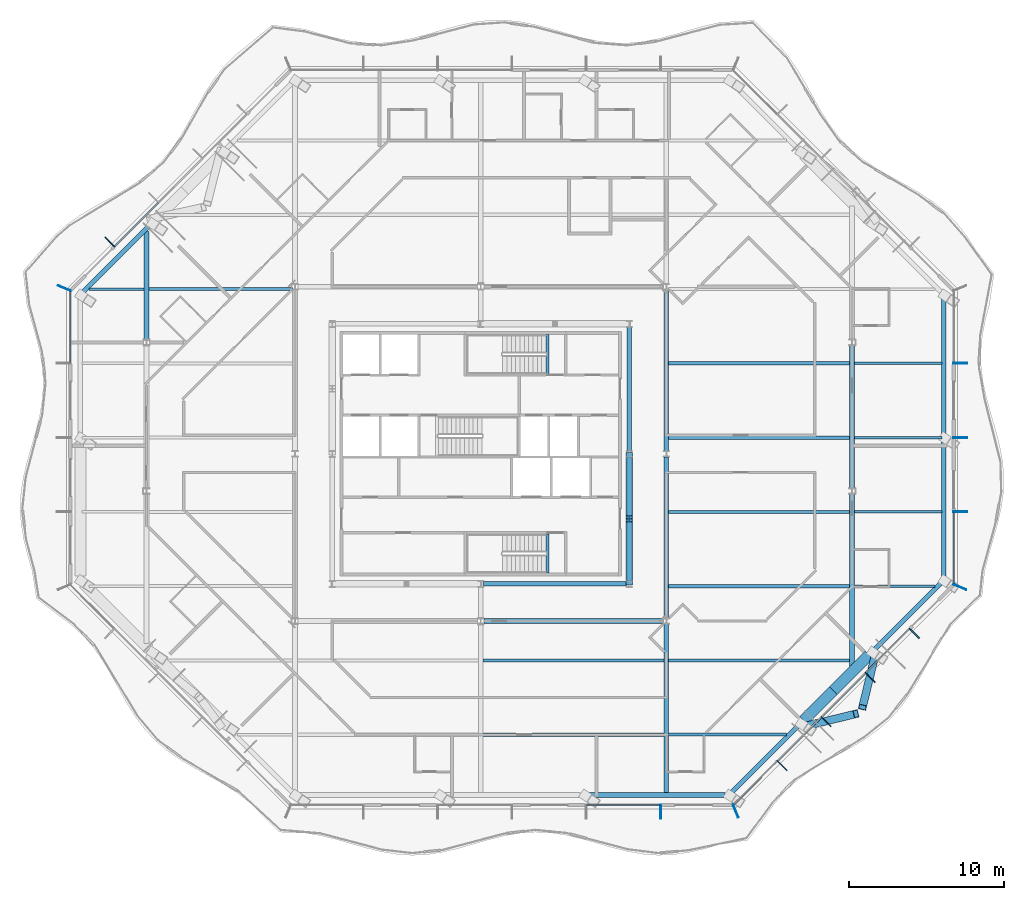
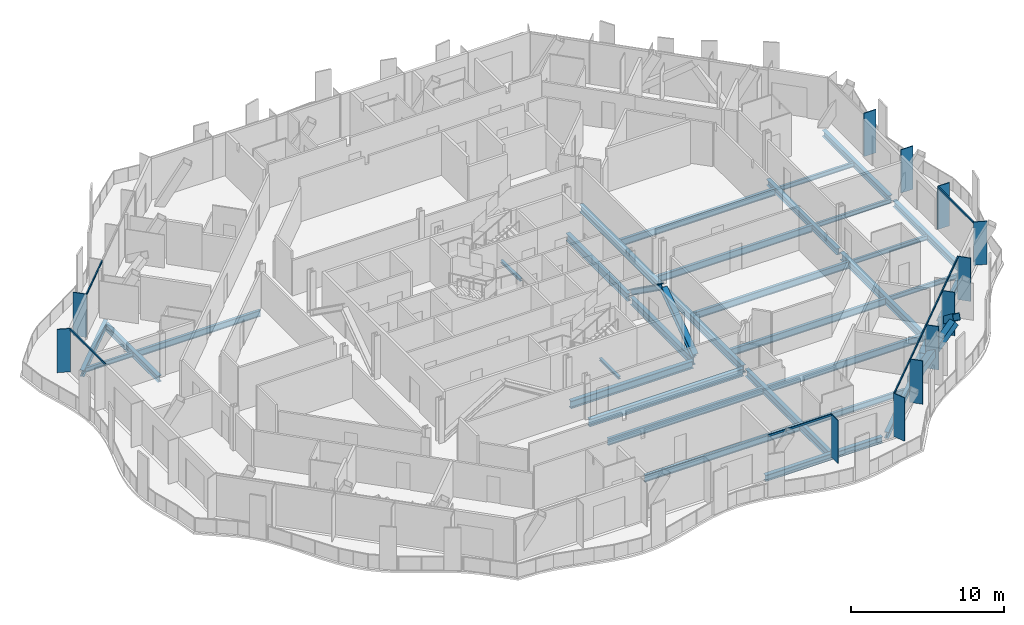
# One storey, part 4 of 21: 34 beams, 24 members, 5 elements without a shape of their own.
"""IFC4 building model written with IfcOpenShell, lengths in metres."""

from ifc_helpers import new_model, si_unit, direction, frame, origin, origin_2d, place, context, subcontext, project, spatial, rectangle, hollow_rectangle, i_section, extrude, material, material_profile, profile_set, type_object, element, aggregate, save


model = new_model("IFC4")

# Units and contexts
model_context = context("Model", 3, precision=1e-05, world=origin(), true_north=direction((0.0, 1.0)))
body_context = subcontext(model_context, "Body", "Model", "MODEL_VIEW")
ifc_project = project(units=[si_unit("LENGTHUNIT", "METRE"), si_unit("AREAUNIT", "SQUARE_METRE"), si_unit("VOLUMEUNIT", "CUBIC_METRE"), si_unit("PLANEANGLEUNIT", "RADIAN"), si_unit("MASSUNIT", "GRAM", prefix="KILO")], contexts=[model_context])

# Site, building, storey
site_placement = place(None, origin())
site = spatial("IfcSite", under=ifc_project, at=site_placement, CompositionType="ELEMENT")
building_placement = place(site_placement, origin())
building = spatial("IfcBuilding", under=site, at=building_placement, Name="Cairn Pilgrim Tower", CompositionType="ELEMENT")
storey_placement = place(building_placement, frame((0.0, 0.0, 183.0)))
storey = spatial("IfcBuildingStorey", under=building, at=storey_placement, Name="L46", CompositionType="ELEMENT", Elevation=183.0)

# Members
ifc_material_1 = material(Name="Structural steel S460M", Category="steel")
ifc_material_profile_1 = material_profile(ifc_material_1, hollow_rectangle(XDim=0.5, YDim=0.5, WallThickness=0.030029296875, at=origin_2d()), Name="BOX 500x500x30")
ifc_profile_set_1 = profile_set([ifc_material_profile_1], Name="Structural steel S460M")
member_type_1 = type_object("IfcMemberType", Name="BOX 500x500x30 BRACE", PredefinedType="BRACE", material=ifc_profile_set_1)
for number, where, z_axis, x_axis, name in (
    (1, (28.1416015625, -15.2060546875, 0.14990234375), (0.771678381768, 0.18757020253, 0.60772517986), (-0.236190662616, 0.971706730909, 0.0), "XB-SE2-SE3-1"),
    (2, (32.680908203125, -10.66650390625, 0.14990234375), (-0.187515295401, -0.771686617797, 0.607731666036), (0.97172317533, -0.236122998725, 0.0), "XB-SE2-SE3-2"),
):
    element("IfcMember", number, at=place(storey_placement, frame(where, z_axis=z_axis, x_axis=x_axis)), inside=storey, type_object=member_type_1, Name=name, PredefinedType="BRACE", context=body_context, shape_type="SweptSolid", body=[
        extrude(hollow_rectangle(XDim=0.5, YDim=0.5, WallThickness=0.030029296875, at=origin_2d()), origin(), (0.0, 0.0, 1.0), 4.2900390625),
    ])

# Beams
ifc_material_2 = material(Name="Structural steel S355J2", Category="steel")
ifc_material_profile_2 = material_profile(ifc_material_2, hollow_rectangle(XDim=0.699951171875, YDim=0.800048828125, WallThickness=0.0400390625, at=origin_2d()), Name="BOX 700x800x40")
ifc_profile_set_2 = profile_set([ifc_material_profile_2], Name="Structural steel S355J2")
beam_type_1 = type_object("IfcBeamType", Name="BOX 700x800x40 RING GIRDER", PredefinedType="SPANDREL", material=ifc_profile_set_2)
beam_1_placement = place(storey_placement, frame((28.0673828125, -14.834716796875, -0.550048828125), z_axis=(0.707151417539, 0.707062142016, 0.0), x_axis=(-0.707062142016, 0.707151417539, 0.0)))
element("IfcBeam", 3, at=beam_1_placement, inside=storey, type_object=beam_type_1, Name="RG2-SE2-SE3-1", PredefinedType="SPANDREL", context=body_context, shape_type="SweptSolid", body=[
    extrude(hollow_rectangle(XDim=0.699951171875, YDim=0.800048828125, WallThickness=0.0400390625, at=origin_2d()), origin(), (0.0, 0.0, 1.0), 2.734619140625),
])
beam_2_placement = place(storey_placement, frame((30.001220703125, -12.901123046875, -0.550048828125), z_axis=(0.707069392857, 0.707144167539, 0.0), x_axis=(-0.707144167539, 0.707069392857, 0.0)))
element("IfcBeam", 4, at=beam_2_placement, inside=storey, type_object=beam_type_1, Name="RG2-SE2-SE3-2", PredefinedType="SPANDREL", context=body_context, shape_type="SweptSolid", body=[
    extrude(hollow_rectangle(XDim=0.699951171875, YDim=0.800048828125, WallThickness=0.0400390625, at=origin_2d()), origin(), (0.0, 0.0, 1.0), 3.26513671875),
])

# Curtain wall, member
ifc_material_3 = material(Name="Aluminium alloy 6063-T6 bronze anodised with Bronze tinted laminated low-E glass 8+16+8.8", Category="aluminium")
curtain_wall_type_1 = type_object("IfcCurtainWallType", Name="TOWER STICK CURTAIN WALL NS", PredefinedType="NOTDEFINED", material=ifc_material_3)
curtain_wall_1_placement = place(storey_placement, origin())
curtain_wall_1 = element("IfcCurtainWall", 5, at=curtain_wall_1_placement, inside=storey, type_object=curtain_wall_type_1, Name="Tower Stick Curtain Wall Ns S", PredefinedType="NOTDEFINED")
ifc_material_4 = material(Name="Aluminium alloy 6063-T6 bronze anodised", Category="aluminium")
ifc_material_profile_3 = material_profile(ifc_material_4, rectangle(XDim=0.89990234375, YDim=0.06005859375, at=origin_2d()), Name="FIN MULLION 60x900 BRONZE")
ifc_profile_set_3 = profile_set([ifc_material_profile_3], Name="Aluminium alloy 6063-T6 bronze anodised")
member_type_2 = type_object("IfcMemberType", Name="FIN MULLION 60x900 BRONZE", PredefinedType="MULLION", material=ifc_profile_set_3)
member_1_placement = place(storey_placement, frame((18.824951171875, -20.719970703125, 0.0), z_axis=(0.0, 0.0, 1.0), x_axis=(0.0, -1.0, 0.0)))
member_1 = element("IfcMember", 6, at=member_1_placement, type_object=member_type_2, Name="Fin mullion S6", PredefinedType="MULLION", context=body_context, shape_type="SweptSolid", body=[
    extrude(rectangle(XDim=0.89990234375, YDim=0.06005859375, at=origin_2d()), origin(), (0.0, 0.0, 1.0), 3.449951171875),
])

# Curtain wall, members
curtain_wall_type_2 = type_object("IfcCurtainWallType", Name="CHAMFER CORNER CURTAIN WALL", PredefinedType="NOTDEFINED", material=ifc_material_3)
curtain_wall_2_placement = place(storey_placement, origin())
curtain_wall_2 = element("IfcCurtainWall", 7, at=curtain_wall_2_placement, inside=storey, type_object=curtain_wall_type_2, Name="Chamfer Corner Curtain Wall SE", PredefinedType="NOTDEFINED")
member_2_placement = place(storey_placement, frame((23.68212890625, -20.68798828125, 0.0), z_axis=(0.0, 0.0, 1.0), x_axis=(0.382683432365, -0.923879532511, 0.0)))
member_2 = element("IfcMember", 8, at=member_2_placement, type_object=member_type_2, Name="Fin mullion SE1", PredefinedType="MULLION", context=body_context, shape_type="SweptSolid", body=[
    extrude(rectangle(XDim=0.89990234375, YDim=0.06005859375, at=origin_2d()), origin(), (0.0, 0.0, 1.0), 3.449951171875),
])
member_3_placement = place(storey_placement, frame((26.669189453125, -17.746337890625, 0.0), z_axis=(0.0, 0.0, 1.0), x_axis=(0.707106781187, -0.707106781187, 0.0)))
member_3 = element("IfcMember", 9, at=member_3_placement, type_object=member_type_2, Name="Fin mullion SE2", PredefinedType="MULLION", context=body_context, shape_type="SweptSolid", body=[
    extrude(rectangle(XDim=0.89990234375, YDim=0.06005859375, at=origin_2d()), origin(), (0.0, 0.0, 1.0), 3.449951171875),
])
member_4_placement = place(storey_placement, frame((29.519775390625, -14.8955078125, 0.0), z_axis=(0.0, 0.0, 1.0), x_axis=(0.707106781187, -0.707106781187, 0.0)))
member_4 = element("IfcMember", 10, at=member_4_placement, type_object=member_type_2, Name="Fin mullion SE3", PredefinedType="MULLION", context=body_context, shape_type="SweptSolid", body=[
    extrude(rectangle(XDim=0.89990234375, YDim=0.06005859375, at=origin_2d()), origin(), (0.0, 0.0, 1.0), 3.449951171875),
])
member_5_placement = place(storey_placement, frame((32.37060546875, -12.044921875, 0.0), z_axis=(0.0, 0.0, 1.0), x_axis=(0.707106781187, -0.707106781187, 0.0)))
member_5 = element("IfcMember", 11, at=member_5_placement, type_object=member_type_2, Name="Fin mullion SE4", PredefinedType="MULLION", context=body_context, shape_type="SweptSolid", body=[
    extrude(rectangle(XDim=0.89990234375, YDim=0.06005859375, at=origin_2d()), origin(), (0.0, 0.0, 1.0), 3.449951171875),
])
member_6_placement = place(storey_placement, frame((35.22119140625, -9.194091796875, 0.0), z_axis=(0.0, 0.0, 1.0), x_axis=(0.707106781187, -0.707106781187, 0.0)))
member_6 = element("IfcMember", 12, at=member_6_placement, type_object=member_type_2, Name="Fin mullion SE5", PredefinedType="MULLION", context=body_context, shape_type="SweptSolid", body=[
    extrude(rectangle(XDim=0.89990234375, YDim=0.06005859375, at=origin_2d()), origin(), (0.0, 0.0, 1.0), 3.449951171875),
])

curtain_wall_type_3 = type_object("IfcCurtainWallType", Name="TOWER STICK CURTAIN WALL EW", PredefinedType="NOTDEFINED", material=ifc_material_3)
curtain_wall_3_placement = place(storey_placement, origin())
curtain_wall_3 = element("IfcCurtainWall", 13, at=curtain_wall_3_placement, inside=storey, type_object=curtain_wall_type_3, Name="Tower Stick Curtain Wall Ew E", PredefinedType="NOTDEFINED")
member_7_placement = place(storey_placement, frame((38.1630859375, -6.207275390625, 0.0), z_axis=(0.0, 0.0, 1.0), x_axis=(0.923879532511, -0.382683432365, 0.0)))
member_7 = element("IfcMember", 14, at=member_7_placement, type_object=member_type_2, Name="Fin mullion E1", PredefinedType="MULLION", context=body_context, shape_type="SweptSolid", body=[
    extrude(rectangle(XDim=0.89990234375, YDim=0.06005859375, at=origin_2d()), origin(), (0.0, 0.0, 1.0), 3.449951171875),
])
member_8_placement = place(storey_placement, frame((38.195068359375, -1.35009765625, 0.0), z_axis=(0.0, 0.0, 1.0), x_axis=(1.0, 0.0, 0.0)))
member_8 = element("IfcMember", 15, at=member_8_placement, type_object=member_type_2, Name="Fin mullion E2", PredefinedType="MULLION", context=body_context, shape_type="SweptSolid", body=[
    extrude(rectangle(XDim=0.89990234375, YDim=0.06005859375, at=origin_2d()), origin(), (0.0, 0.0, 1.0), 3.449951171875),
])
member_9_placement = place(storey_placement, frame((38.195068359375, 3.449951171875, 0.0), z_axis=(0.0, 0.0, 1.0), x_axis=(1.0, 0.0, 0.0)))
member_9 = element("IfcMember", 16, at=member_9_placement, type_object=member_type_2, Name="Fin mullion E3", PredefinedType="MULLION", context=body_context, shape_type="SweptSolid", body=[
    extrude(rectangle(XDim=0.89990234375, YDim=0.06005859375, at=origin_2d()), origin(), (0.0, 0.0, 1.0), 3.449951171875),
])
member_10_placement = place(storey_placement, frame((38.195068359375, 8.25, 0.0), z_axis=(0.0, 0.0, 1.0), x_axis=(1.0, 0.0, 0.0)))
member_10 = element("IfcMember", 17, at=member_10_placement, type_object=member_type_2, Name="Fin mullion E4", PredefinedType="MULLION", context=body_context, shape_type="SweptSolid", body=[
    extrude(rectangle(XDim=0.89990234375, YDim=0.06005859375, at=origin_2d()), origin(), (0.0, 0.0, 1.0), 3.449951171875),
])

# Curtain wall, member
curtain_wall_4_placement = place(storey_placement, origin())
curtain_wall_4 = element("IfcCurtainWall", 18, at=curtain_wall_4_placement, inside=storey, type_object=curtain_wall_type_2, Name="Chamfer Corner Curtain Wall NW", PredefinedType="NOTDEFINED")
member_11_placement = place(storey_placement, frame((-16.771240234375, 16.09423828125, 0.0), z_axis=(0.0, 0.0, 1.0), x_axis=(-0.707106781187, 0.707106781187, 0.0)))
member_11 = element("IfcMember", 19, at=member_11_placement, type_object=member_type_2, Name="Fin mullion NW5", PredefinedType="MULLION", context=body_context, shape_type="SweptSolid", body=[
    extrude(rectangle(XDim=0.89990234375, YDim=0.06005859375, at=origin_2d()), origin(), (0.0, 0.0, 1.0), 3.449951171875),
])

curtain_wall_5_placement = place(storey_placement, origin())
curtain_wall_5 = element("IfcCurtainWall", 20, at=curtain_wall_5_placement, inside=storey, type_object=curtain_wall_type_3, Name="Tower Stick Curtain Wall Ew W", PredefinedType="NOTDEFINED")
member_12_placement = place(storey_placement, frame((-19.713134765625, 13.107177734375, 0.0), z_axis=(0.0, 0.0, 1.0), x_axis=(-0.923879532511, 0.382683432365, 0.0)))
member_12 = element("IfcMember", 21, at=member_12_placement, type_object=member_type_2, Name="Fin mullion W1", PredefinedType="MULLION", context=body_context, shape_type="SweptSolid", body=[
    extrude(rectangle(XDim=0.89990234375, YDim=0.06005859375, at=origin_2d()), origin(), (0.0, 0.0, 1.0), 3.449951171875),
])

# Members
ifc_material_profile_4 = material_profile(ifc_material_1, i_section(OverallWidth=0.408935546875, OverallDepth=0.425048828125, WebThickness=0.03271484375, FlangeThickness=0.052490234375, FilletRadius=0.014892578125, at=origin_2d()), Name="HD 400x421")
ifc_profile_set_4 = profile_set([ifc_material_profile_4], Name="Structural steel S460M")
member_type_3 = type_object("IfcMemberType", Name="HD 400x421 BRACE", PredefinedType="BRACE", material=ifc_profile_set_4)
member_13_placement = place(storey_placement, frame((16.800048828125, -5.95849609375, 0.10009765625), z_axis=(0.0, 0.814346882511, 0.580378458373), x_axis=(-1.0, 0.0, 0.0)))
element("IfcMember", 22, at=member_13_placement, inside=storey, type_object=member_type_3, Name="KB-2A", PredefinedType="BRACE", context=body_context, shape_type="SweptSolid", body=[
    extrude(i_section(OverallWidth=0.408935546875, OverallDepth=0.425048828125, WebThickness=0.03271484375, FlangeThickness=0.052490234375, FilletRadius=0.014892578125, at=origin_2d()), origin(), (0.0, 0.0, 1.0), 4.998291015625),
])
member_14_placement = place(storey_placement, frame((16.800048828125, 2.3583984375, 0.10009765625), z_axis=(0.0, -0.81433042856, 0.580401544727), x_axis=(1.0, 0.0, 0.0)))
element("IfcMember", 23, at=member_14_placement, inside=storey, type_object=member_type_3, Name="KB-2B", PredefinedType="BRACE", context=body_context, shape_type="SweptSolid", body=[
    extrude(i_section(OverallWidth=0.408935546875, OverallDepth=0.425048828125, WebThickness=0.03271484375, FlangeThickness=0.052490234375, FilletRadius=0.014892578125, at=origin_2d()), origin(), (0.0, 0.0, 1.0), 4.998046875),
])

# Beams
ifc_material_profile_5 = material_profile(ifc_material_2, i_section(OverallWidth=0.300048828125, OverallDepth=0.5, WebThickness=0.014404296875, FlangeThickness=0.028076171875, FilletRadius=0.027099609375, at=origin_2d()), Name="HEB 500")
ifc_profile_set_5 = profile_set([ifc_material_profile_5], Name="Structural steel S355J2")
beam_type_2 = type_object("IfcBeamType", Name="HEB 500 GIRDER", PredefinedType="BEAM", material=ifc_profile_set_5)
beam_3_placement = place(storey_placement, frame((-14.39990234375, 9.799560546875, -0.39990234375), z_axis=(0.0, 1.0, 0.0), x_axis=(-1.0, 0.0, 0.0)))
element("IfcBeam", 24, at=beam_3_placement, inside=storey, type_object=beam_type_2, Name="PG1-3", PredefinedType="BEAM", context=body_context, shape_type="SweptSolid", body=[
    extrude(i_section(OverallWidth=0.300048828125, OverallDepth=0.5, WebThickness=0.014404296875, FlangeThickness=0.028076171875, FilletRadius=0.027099609375, at=origin_2d()), origin(), (0.0, 0.0, 1.0), 6.970458984375),
])
beam_4_placement = place(storey_placement, frame((31.199951171875, 0.20458984375, -0.39990234375), z_axis=(0.0, 1.0, 0.0), x_axis=(-1.0, 0.0, 0.0)))
element("IfcBeam", 25, at=beam_4_placement, inside=storey, type_object=beam_type_2, Name="PG5-2", PredefinedType="BEAM", context=body_context, shape_type="SweptSolid", body=[
    extrude(i_section(OverallWidth=0.300048828125, OverallDepth=0.5, WebThickness=0.014404296875, FlangeThickness=0.028076171875, FilletRadius=0.027099609375, at=origin_2d()), origin(), (0.0, 0.0, 1.0), 9.19091796875),
])
ifc_material_profile_6 = material_profile(ifc_material_2, i_section(OverallWidth=0.300048828125, OverallDepth=0.5, WebThickness=0.014404296875, FlangeThickness=0.028076171875, FilletRadius=0.027099609375, at=origin_2d()), Name="HEB 500")
ifc_profile_set_6 = profile_set([ifc_material_profile_6], Name="Structural steel S355J2")
beam_type_3 = type_object("IfcBeamType", Name="HEB 500 RING GIRDER", PredefinedType="SPANDREL", material=ifc_profile_set_6)
beam_5_placement = place(storey_placement, frame((14.170654296875, -19.64990234375, -0.39990234375), z_axis=(1.0, 0.0, 0.0), x_axis=(0.0, 1.0, 0.0)))
element("IfcBeam", 26, at=beam_5_placement, inside=storey, type_object=beam_type_3, Name="RG2-S3-SE1", PredefinedType="SPANDREL", context=body_context, shape_type="SweptSolid", body=[
    extrude(i_section(OverallWidth=0.300048828125, OverallDepth=0.5, WebThickness=0.014404296875, FlangeThickness=0.028076171875, FilletRadius=0.027099609375, at=origin_2d()), origin(), (0.0, 0.0, 1.0), 8.8115234375),
])
beam_6_placement = place(storey_placement, frame((23.443115234375, -19.458984375, -0.39990234375), z_axis=(0.707127127534, 0.707086434254, 0.0), x_axis=(-0.707086434254, 0.707127127534, 0.0)))
element("IfcBeam", 27, at=beam_6_placement, inside=storey, type_object=beam_type_3, Name="RG2-SE1-SE2", PredefinedType="SPANDREL", context=body_context, shape_type="SweptSolid", body=[
    extrude(i_section(OverallWidth=0.300048828125, OverallDepth=0.5, WebThickness=0.014404296875, FlangeThickness=0.028076171875, FilletRadius=0.027099609375, at=origin_2d()), origin(), (0.0, 0.0, 1.0), 5.99951171875),
])
beam_7_placement = place(storey_placement, frame((32.691650390625, -10.210693359375, -0.39990234375), z_axis=(0.707086435425, 0.707127126363, 0.0), x_axis=(-0.707127126363, 0.707086435425, 0.0)))
element("IfcBeam", 28, at=beam_7_placement, inside=storey, type_object=beam_type_3, Name="RG2-SE3-E1", PredefinedType="SPANDREL", context=body_context, shape_type="SweptSolid", body=[
    extrude(i_section(OverallWidth=0.300048828125, OverallDepth=0.5, WebThickness=0.014404296875, FlangeThickness=0.028076171875, FilletRadius=0.027099609375, at=origin_2d()), origin(), (0.0, 0.0, 1.0), 5.999755859375),
])
beam_8_placement = place(storey_placement, frame((37.125, -5.507080078125, -0.39990234375), z_axis=(0.0, 1.0, 0.0), x_axis=(-1.0, 0.0, 0.0)))
element("IfcBeam", 29, at=beam_8_placement, inside=storey, type_object=beam_type_3, Name="RG2-E1-E2", PredefinedType="SPANDREL", context=body_context, shape_type="SweptSolid", body=[
    extrude(i_section(OverallWidth=0.300048828125, OverallDepth=0.5, WebThickness=0.014404296875, FlangeThickness=0.028076171875, FilletRadius=0.027099609375, at=origin_2d()), origin(), (0.0, 0.0, 1.0), 8.68701171875),
])
beam_9_placement = place(storey_placement, frame((37.125, 3.719970703125, -0.39990234375), z_axis=(0.0, 1.0, 0.0), x_axis=(-1.0, 0.0, 0.0)))
element("IfcBeam", 30, at=beam_9_placement, inside=storey, type_object=beam_type_3, Name="RG2-E2-NE1", PredefinedType="SPANDREL", context=body_context, shape_type="SweptSolid", body=[
    extrude(i_section(OverallWidth=0.300048828125, OverallDepth=0.5, WebThickness=0.014404296875, FlangeThickness=0.028076171875, FilletRadius=0.027099609375, at=origin_2d()), origin(), (0.0, 0.0, 1.0), 8.687255859375),
])
beam_10_placement = place(storey_placement, frame((-14.24169921875, 17.110595703125, -0.39990234375), z_axis=(-0.707106781187, -0.707106781187, 0.0), x_axis=(0.707106781187, -0.707106781187, 0.0)))
element("IfcBeam", 31, at=beam_10_placement, inside=storey, type_object=beam_type_3, Name="RG2-NW3-W1", PredefinedType="SPANDREL", context=body_context, shape_type="SweptSolid", body=[
    extrude(i_section(OverallWidth=0.300048828125, OverallDepth=0.5, WebThickness=0.014404296875, FlangeThickness=0.028076171875, FilletRadius=0.027099609375, at=origin_2d()), origin(), (0.0, 0.0, 1.0), 5.999755859375),
])
ifc_material_profile_7 = material_profile(ifc_material_2, i_section(OverallWidth=0.300048828125, OverallDepth=0.60009765625, WebThickness=0.015380859375, FlangeThickness=0.030029296875, FilletRadius=0.027099609375, at=origin_2d()), Name="HEB 600")
ifc_profile_set_7 = profile_set([ifc_material_profile_7], Name="Structural steel S355J2")
beam_type_4 = type_object("IfcBeamType", Name="HEB 600 CORE BEAM", PredefinedType="BEAM", material=ifc_profile_set_7)
beam_11_placement = place(storey_placement, frame((7.38720703125, -6.0, -0.449951171875), z_axis=(1.0, 0.0, 0.0), x_axis=(0.0, 1.0, 0.0)))
element("IfcBeam", 32, at=beam_11_placement, inside=storey, type_object=beam_type_4, Name="CB-2", PredefinedType="BEAM", context=body_context, shape_type="SweptSolid", body=[
    extrude(i_section(OverallWidth=0.300048828125, OverallDepth=0.60009765625, WebThickness=0.015380859375, FlangeThickness=0.030029296875, FilletRadius=0.027099609375, at=origin_2d()), origin(), (0.0, 0.0, 1.0), 9.2255859375),
])
for number, where, z_axis, x_axis, name in (
    (33, (16.800048828125, -5.812744140625, -0.449951171875), (0.0, 1.0, 0.0), (-1.0, 0.0, 0.0), "CB-3"),
    (34, (16.800048828125, 2.587158203125, -0.449951171875), (0.0, 1.0, 0.0), (-1.0, 0.0, 0.0), "CB-4"),
):
    element("IfcBeam", number, at=place(storey_placement, frame(where, z_axis=z_axis, x_axis=x_axis)), inside=storey, type_object=beam_type_4, Name=name, PredefinedType="BEAM", context=body_context, shape_type="SweptSolid", body=[
        extrude(i_section(OverallWidth=0.300048828125, OverallDepth=0.60009765625, WebThickness=0.015380859375, FlangeThickness=0.030029296875, FilletRadius=0.027099609375, at=origin_2d()), origin(), (0.0, 0.0, 1.0), 8.025634765625),
    ])
ifc_material_profile_8 = material_profile(ifc_material_2, i_section(OverallWidth=0.300048828125, OverallDepth=0.60009765625, WebThickness=0.015380859375, FlangeThickness=0.030029296875, FilletRadius=0.027099609375, at=origin_2d()), Name="HEB 600")
ifc_profile_set_8 = profile_set([ifc_material_profile_8], Name="Structural steel S355J2")
beam_type_5 = type_object("IfcBeamType", Name="HEB 600 GIRDER", PredefinedType="BEAM", material=ifc_profile_set_8)
beam_12_placement = place(storey_placement, frame((19.199951171875, -19.530029296875, -0.449951171875), z_axis=(0.0, 1.0, 0.0), x_axis=(-1.0, 0.0, 0.0)))
element("IfcBeam", 35, at=beam_12_placement, inside=storey, type_object=beam_type_5, Name="PG4-1", PredefinedType="BEAM", context=body_context, shape_type="SweptSolid", body=[
    extrude(i_section(OverallWidth=0.300048828125, OverallDepth=0.60009765625, WebThickness=0.015380859375, FlangeThickness=0.030029296875, FilletRadius=0.027099609375, at=origin_2d()), origin(), (0.0, 0.0, 1.0), 10.930419921875),
])
for number, where, z_axis, x_axis, name in (
    (36, (19.199951171875, -8.200439453125, -0.449951171875), (0.0, 1.0, 0.0), (-1.0, 0.0, 0.0), "PG4-2"),
    (37, (19.199951171875, 2.599609375, -0.449951171875), (0.0, 1.0, 0.0), (-1.0, 0.0, 0.0), "PG4-3"),
):
    element("IfcBeam", number, at=place(storey_placement, frame(where, z_axis=z_axis, x_axis=x_axis)), inside=storey, type_object=beam_type_5, Name=name, PredefinedType="BEAM", context=body_context, shape_type="SweptSolid", body=[
        extrude(i_section(OverallWidth=0.300048828125, OverallDepth=0.60009765625, WebThickness=0.015380859375, FlangeThickness=0.030029296875, FilletRadius=0.027099609375, at=origin_2d()), origin(), (0.0, 0.0, 1.0), 10.40087890625),
    ])
beam_13_placement = place(storey_placement, frame((31.199951171875, -11.52001953125, -0.449951171875), z_axis=(0.0, 1.0, 0.0), x_axis=(-1.0, 0.0, 0.0)))
element("IfcBeam", 38, at=beam_13_placement, inside=storey, type_object=beam_type_5, Name="PG5-1", PredefinedType="BEAM", context=body_context, shape_type="SweptSolid", body=[
    extrude(i_section(OverallWidth=0.300048828125, OverallDepth=0.60009765625, WebThickness=0.015380859375, FlangeThickness=0.030029296875, FilletRadius=0.027099609375, at=origin_2d()), origin(), (0.0, 0.0, 1.0), 11.3154296875),
])
ifc_material_profile_9 = material_profile(ifc_material_2, i_section(OverallWidth=0.300048828125, OverallDepth=0.60009765625, WebThickness=0.015380859375, FlangeThickness=0.030029296875, FilletRadius=0.027099609375, at=origin_2d()), Name="HEB 600")
ifc_profile_set_9 = profile_set([ifc_material_profile_9], Name="Structural steel S355J2")
beam_type_6 = type_object("IfcBeamType", Name="HEB 600 INNER GIRDER", PredefinedType="BEAM", material=ifc_profile_set_9)
beam_14_placement = place(storey_placement, frame((7.3994140625, -8.39990234375, -0.449951171875), z_axis=(1.0, 0.0, 0.0), x_axis=(0.0, 1.0, 0.0)))
element("IfcBeam", 39, at=beam_14_placement, inside=storey, type_object=beam_type_6, Name="IG1-2", PredefinedType="BEAM", context=body_context, shape_type="SweptSolid", body=[
    extrude(i_section(OverallWidth=0.300048828125, OverallDepth=0.60009765625, WebThickness=0.015380859375, FlangeThickness=0.030029296875, FilletRadius=0.027099609375, at=origin_2d()), origin(), (0.0, 0.0, 1.0), 11.60107421875),
])
ifc_material_profile_10 = material_profile(ifc_material_2, i_section(OverallWidth=0.169921875, OverallDepth=0.360107421875, WebThickness=0.008056640625, FlangeThickness=0.0126953125, FilletRadius=0.01806640625, at=origin_2d()), Name="IPE 360")
ifc_profile_set_10 = profile_set([ifc_material_profile_10], Name="Structural steel S355J2")
beam_type_7 = type_object("IfcBeamType", Name="IPE 360 SECONDARY BEAM", PredefinedType="JOIST", material=ifc_profile_set_10)
beam_15_placement = place(storey_placement, frame((31.35009765625, -6.14990234375, -0.330078125), z_axis=(1.0, 0.0, 0.0), x_axis=(0.0, 1.0, 0.0)))
element("IfcBeam", 40, at=beam_15_placement, inside=storey, type_object=beam_type_7, Name="SB3-4", PredefinedType="JOIST", context=body_context, shape_type="SweptSolid", body=[
    extrude(i_section(OverallWidth=0.169921875, OverallDepth=0.360107421875, WebThickness=0.008056640625, FlangeThickness=0.0126953125, FilletRadius=0.01806640625, at=origin_2d()), origin(), (0.0, 0.0, 1.0), 5.219970703125),
])
for number, where, z_axis, x_axis, name in (
    (41, (31.35009765625, -1.35009765625, -0.330078125), (1.0, 0.0, 0.0), (0.0, 1.0, 0.0), "SB4-4"),
    (42, (31.35009765625, 3.449951171875, -0.330078125), (1.0, 0.0, 0.0), (0.0, 1.0, 0.0), "SB5-4"),
    (43, (31.35009765625, 8.25, -0.330078125), (1.0, 0.0, 0.0), (0.0, 1.0, 0.0), "SB6-4"),
):
    element("IfcBeam", number, at=place(storey_placement, frame(where, z_axis=z_axis, x_axis=x_axis)), inside=storey, type_object=beam_type_7, Name=name, PredefinedType="JOIST", context=body_context, shape_type="SweptSolid", body=[
        extrude(i_section(OverallWidth=0.169921875, OverallDepth=0.360107421875, WebThickness=0.008056640625, FlangeThickness=0.0126953125, FilletRadius=0.01806640625, at=origin_2d()), origin(), (0.0, 0.0, 1.0), 5.65478515625),
    ])
beam_16_placement = place(storey_placement, frame((-18.1201171875, 13.050048828125, -0.330078125), z_axis=(1.0, 0.0, 0.0), x_axis=(0.0, 1.0, 0.0)))
element("IfcBeam", 44, at=beam_16_placement, inside=storey, type_object=beam_type_7, Name="SB7-1", PredefinedType="JOIST", context=body_context, shape_type="SweptSolid", body=[
    extrude(i_section(OverallWidth=0.169921875, OverallDepth=0.360107421875, WebThickness=0.008056640625, FlangeThickness=0.0126953125, FilletRadius=0.01806640625, at=origin_2d()), origin(), (0.0, 0.0, 1.0), 3.570068359375),
])
ifc_material_profile_11 = material_profile(ifc_material_2, i_section(OverallWidth=0.18994140625, OverallDepth=0.449951171875, WebThickness=0.009521484375, FlangeThickness=0.0146484375, FilletRadius=0.02099609375, at=origin_2d()), Name="IPE 450")
ifc_profile_set_11 = profile_set([ifc_material_profile_11], Name="Structural steel S355J2")
beam_type_8 = type_object("IfcBeamType", Name="IPE 450 SECONDARY BEAM", PredefinedType="JOIST", material=ifc_profile_set_11)
beam_17_placement = place(storey_placement, frame((19.35009765625, -15.75, -0.375), z_axis=(1.0, 0.0, 0.0), x_axis=(0.0, 1.0, 0.0)))
element("IfcBeam", 45, at=beam_17_placement, inside=storey, type_object=beam_type_8, Name="SB1-4", PredefinedType="JOIST", context=body_context, shape_type="SweptSolid", body=[
    extrude(i_section(OverallWidth=0.18994140625, OverallDepth=0.449951171875, WebThickness=0.009521484375, FlangeThickness=0.0146484375, FilletRadius=0.02099609375, at=origin_2d()), origin(), (0.0, 0.0, 1.0), 7.6201171875),
])
ifc_material_profile_12 = material_profile(ifc_material_2, i_section(OverallWidth=0.199951171875, OverallDepth=0.5, WebThickness=0.01025390625, FlangeThickness=0.01611328125, FilletRadius=0.02099609375, at=origin_2d()), Name="IPE 500")
ifc_profile_set_12 = profile_set([ifc_material_profile_12], Name="Structural steel S355J2")
beam_type_9 = type_object("IfcBeamType", Name="IPE 500 SECONDARY BEAM", PredefinedType="JOIST", material=ifc_profile_set_12)
beam_18_placement = place(storey_placement, frame((-14.25, 13.050048828125, -0.39990234375), z_axis=(1.0, 0.0, 0.0), x_axis=(0.0, 1.0, 0.0)))
element("IfcBeam", 46, at=beam_18_placement, inside=storey, type_object=beam_type_9, Name="SB7-2", PredefinedType="JOIST", context=body_context, shape_type="SweptSolid", body=[
    extrude(i_section(OverallWidth=0.199951171875, OverallDepth=0.5, WebThickness=0.01025390625, FlangeThickness=0.01611328125, FilletRadius=0.02099609375, at=origin_2d()), origin(), (0.0, 0.0, 1.0), 9.300048828125),
])
ifc_material_profile_13 = material_profile(ifc_material_2, i_section(OverallWidth=0.2099609375, OverallDepth=0.550048828125, WebThickness=0.010986328125, FlangeThickness=0.01708984375, FilletRadius=0.02392578125, at=origin_2d()), Name="IPE 550")
ifc_profile_set_13 = profile_set([ifc_material_profile_13], Name="Structural steel S355J2")
beam_type_10 = type_object("IfcBeamType", Name="IPE 550 SECONDARY BEAM", PredefinedType="JOIST", material=ifc_profile_set_13)
for number, where, z_axis, x_axis, name in (
    (47, (7.35009765625, -15.75, -0.425048828125), (1.0, 0.0, 0.0), (0.0, 1.0, 0.0), "SB1-3"),
    (48, (7.35009765625, -10.949951171875, -0.425048828125), (1.0, 0.0, 0.0), (0.0, 1.0, 0.0), "SB2-3"),
    (49, (19.35009765625, -10.949951171875, -0.425048828125), (1.0, 0.0, 0.0), (0.0, 1.0, 0.0), "SB2-4"),
    (50, (19.35009765625, -6.14990234375, -0.425048828125), (1.0, 0.0, 0.0), (0.0, 1.0, 0.0), "SB3-3"),
    (51, (19.35009765625, -1.35009765625, -0.425048828125), (1.0, 0.0, 0.0), (0.0, 1.0, 0.0), "SB4-3"),
    (52, (19.35009765625, 3.449951171875, -0.425048828125), (1.0, 0.0, 0.0), (0.0, 1.0, 0.0), "SB5-3"),
    (53, (19.35009765625, 8.25, -0.425048828125), (1.0, 0.0, 0.0), (0.0, 1.0, 0.0), "SB6-3"),
):
    element("IfcBeam", number, at=place(storey_placement, frame(where, z_axis=z_axis, x_axis=x_axis)), inside=storey, type_object=beam_type_10, Name=name, PredefinedType="JOIST", context=body_context, shape_type="SweptSolid", body=[
        extrude(i_section(OverallWidth=0.2099609375, OverallDepth=0.550048828125, WebThickness=0.010986328125, FlangeThickness=0.01708984375, FilletRadius=0.02392578125, at=origin_2d()), origin(), (0.0, 0.0, 1.0), 11.699951171875),
    ])
ifc_material_profile_14 = material_profile(ifc_material_2, i_section(OverallWidth=0.199951171875, OverallDepth=0.199951171875, WebThickness=0.009033203125, FlangeThickness=0.014892578125, FilletRadius=0.01806640625, at=origin_2d()), Name="HE 200 B")
ifc_profile_set_14 = profile_set([ifc_material_profile_14], Name="Structural steel S355J2")
beam_type_11 = type_object("IfcBeamType", Name="STAIR LANDING BEAM HE 200 B", PredefinedType="BEAM", material=ifc_profile_set_14)
for number, where, z_axis, x_axis, name in (
    (54, (11.5244140625, -2.77490234375, -0.25), (0.0, -1.0, 0.0), (1.0, 0.0, 0.0), "STAIR LANDING BEAM LD-HE200B"),
    (55, (11.5244140625, 10.10009765625, -0.25), (0.0, -1.0, 0.0), (1.0, 0.0, 0.0), "STAIR LANDING BEAM LD-HE200B"),
):
    element("IfcBeam", number, at=place(storey_placement, frame(where, z_axis=z_axis, x_axis=x_axis)), inside=storey, type_object=beam_type_11, Name=name, PredefinedType="BEAM", context=body_context, shape_type="SweptSolid", body=[
        extrude(i_section(OverallWidth=0.199951171875, OverallDepth=0.199951171875, WebThickness=0.009033203125, FlangeThickness=0.014892578125, FilletRadius=0.01806640625, at=origin_2d()), origin(), (0.0, 0.0, 1.0), 2.525146484375),
    ])

# Member
ifc_material_profile_15 = material_profile(ifc_material_4, rectangle(XDim=0.080078125, YDim=0.14990234375, at=origin_2d()), Name="TRANSOM 80x150 BRONZE")
ifc_profile_set_15 = profile_set([ifc_material_profile_15], Name="Aluminium alloy 6063-T6 bronze anodised")
member_type_4 = type_object("IfcMemberType", Name="TRANSOM 80x150 BRONZE", PredefinedType="USERDEFINED", material=ifc_profile_set_15)
member_15_placement = place(storey_placement, frame((14.054931640625, -20.300048828125, 3.375), z_axis=(1.0, 0.0, 0.0), x_axis=(0.0, 1.0, 0.0)))
member_15 = element("IfcMember", 56, at=member_15_placement, type_object=member_type_4, Name="Transom S5", ObjectType="TRANSOM", PredefinedType="USERDEFINED", context=body_context, shape_type="SweptSolid", body=[
    extrude(rectangle(XDim=0.080078125, YDim=0.14990234375, at=origin_2d()), origin(), (0.0, 0.0, 1.0), 4.739990234375),
])

aggregate(curtain_wall_1, [member_1, member_15])

member_16_placement = place(storey_placement, frame((23.5498046875, -20.271728515625, 3.375), z_axis=(0.707075965734, 0.707137595296, 0.0), x_axis=(-0.707137595296, 0.707075965734, 0.0)))
member_16 = element("IfcMember", 57, at=member_16_placement, type_object=member_type_4, Name="Transom SE1", ObjectType="TRANSOM", PredefinedType="USERDEFINED", context=body_context, shape_type="SweptSolid", body=[
    extrude(rectangle(XDim=0.080078125, YDim=0.14990234375, at=origin_2d()), origin(), (0.0, 0.0, 1.0), 3.96142578125),
])

member_17_placement = place(storey_placement, frame((26.393310546875, -17.427978515625, 3.375), z_axis=(0.70713751761, 0.707076043427, 0.0), x_axis=(-0.707076043427, 0.70713751761, 0.0)))
member_17 = element("IfcMember", 58, at=member_17_placement, type_object=member_type_4, Name="Transom SE2", ObjectType="TRANSOM", PredefinedType="USERDEFINED", context=body_context, shape_type="SweptSolid", body=[
    extrude(rectangle(XDim=0.080078125, YDim=0.14990234375, at=origin_2d()), origin(), (0.0, 0.0, 1.0), 3.971435546875),
])

member_18_placement = place(storey_placement, frame((29.244140625, -14.577392578125, 3.375), z_axis=(0.707076043427, 0.70713751761, 0.0), x_axis=(-0.70713751761, 0.707076043427, 0.0)))
member_18 = element("IfcMember", 59, at=member_18_placement, type_object=member_type_4, Name="Transom SE3", ObjectType="TRANSOM", PredefinedType="USERDEFINED", context=body_context, shape_type="SweptSolid", body=[
    extrude(rectangle(XDim=0.080078125, YDim=0.14990234375, at=origin_2d()), origin(), (0.0, 0.0, 1.0), 3.971435546875),
])

member_19_placement = place(storey_placement, frame((32.0947265625, -11.7265625, 3.375), z_axis=(0.70713751761, 0.707076043427, 0.0), x_axis=(-0.707076043427, 0.70713751761, 0.0)))
member_19 = element("IfcMember", 60, at=member_19_placement, type_object=member_type_4, Name="Transom SE4", ObjectType="TRANSOM", PredefinedType="USERDEFINED", context=body_context, shape_type="SweptSolid", body=[
    extrude(rectangle(XDim=0.080078125, YDim=0.14990234375, at=origin_2d()), origin(), (0.0, 0.0, 1.0), 3.971435546875),
])

aggregate(curtain_wall_2, [member_2, member_3, member_4, member_5, member_6, member_16, member_17, member_18, member_19])

member_20_placement = place(storey_placement, frame((37.77490234375, -6.00634765625, 3.375), z_axis=(0.0, 1.0, 0.0), x_axis=(-1.0, 0.0, 0.0)))
member_20 = element("IfcMember", 61, at=member_20_placement, type_object=member_type_4, Name="Transom E1", ObjectType="TRANSOM", PredefinedType="USERDEFINED", context=body_context, shape_type="SweptSolid", body=[
    extrude(rectangle(XDim=0.080078125, YDim=0.14990234375, at=origin_2d()), origin(), (0.0, 0.0, 1.0), 4.62646484375),
])

aggregate(curtain_wall_3, [member_7, member_8, member_9, member_10, member_20])

member_21_placement = place(storey_placement, frame((-13.644775390625, 18.626708984375, 3.375), z_axis=(-0.707106781187, -0.707106781187, 0.0), x_axis=(0.707106781187, -0.707106781187, 0.0)))
member_21 = element("IfcMember", 62, at=member_21_placement, type_object=member_type_4, Name="Transom NW4", ObjectType="TRANSOM", PredefinedType="USERDEFINED", context=body_context, shape_type="SweptSolid", body=[
    extrude(rectangle(XDim=0.080078125, YDim=0.14990234375, at=origin_2d()), origin(), (0.0, 0.0, 1.0), 3.9716796875),
])

aggregate(curtain_wall_4, [member_11, member_21])

member_22_placement = place(storey_placement, frame((-19.324951171875, 12.906494140625, 3.375), z_axis=(0.0, -1.0, 0.0), x_axis=(1.0, 0.0, 0.0)))
member_22 = element("IfcMember", 63, at=member_22_placement, type_object=member_type_4, Name="Transom W1", ObjectType="TRANSOM", PredefinedType="USERDEFINED", context=body_context, shape_type="SweptSolid", body=[
    extrude(rectangle(XDim=0.080078125, YDim=0.14990234375, at=origin_2d()), origin(), (0.0, 0.0, 1.0), 4.62646484375),
])

aggregate(curtain_wall_5, [member_12, member_22])

save(model, "model.ifc")
